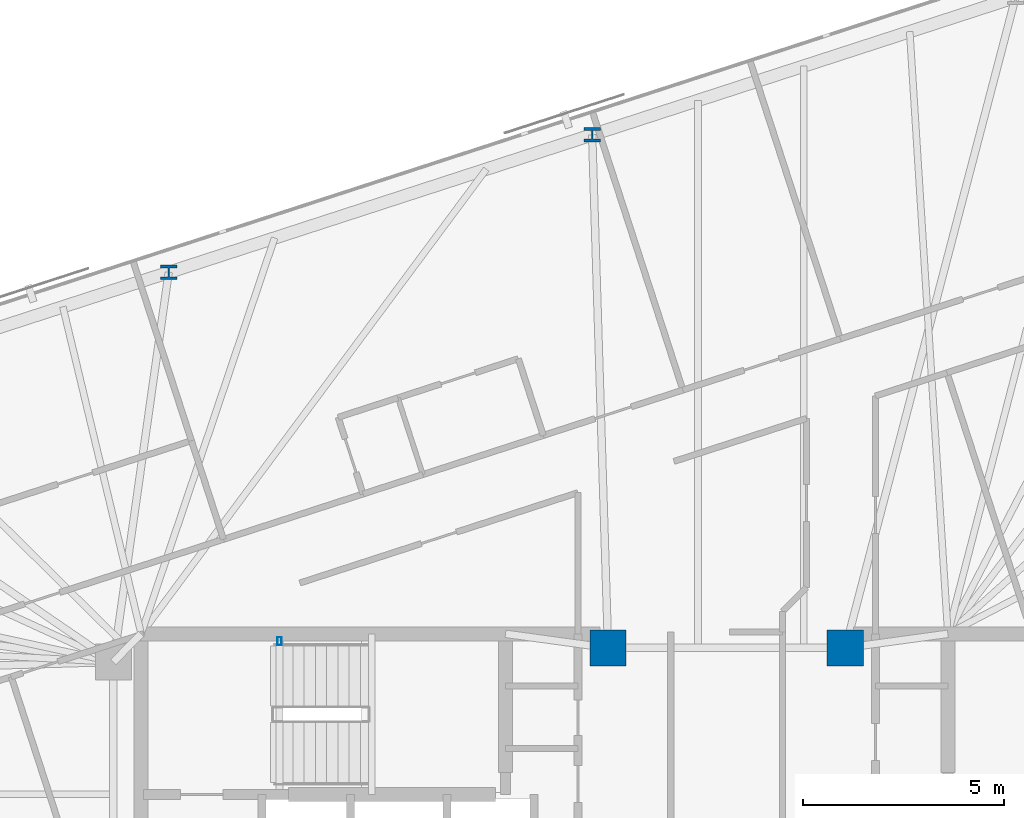
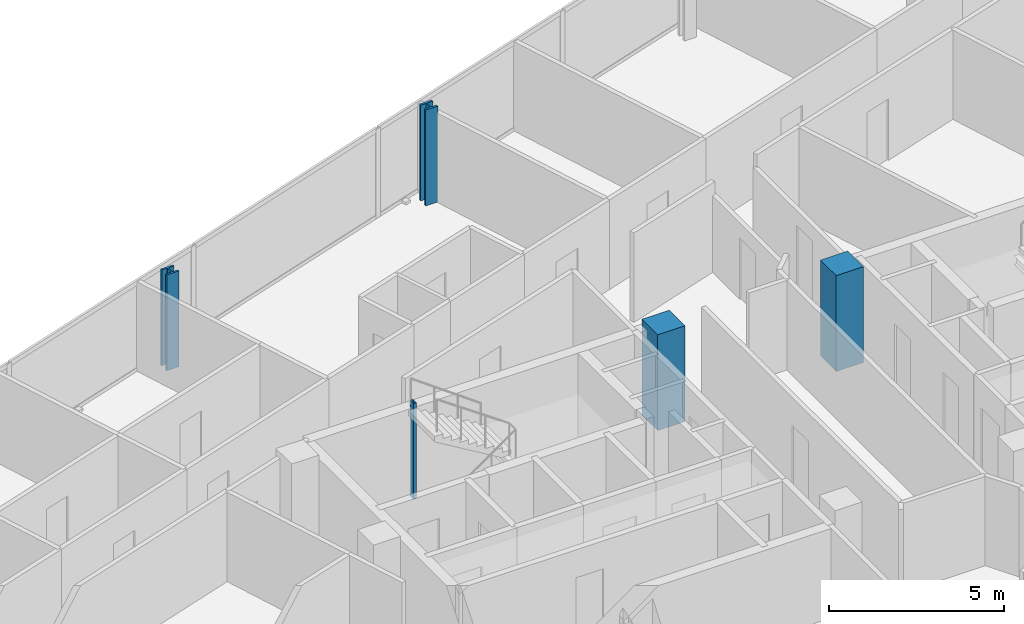
# One storey, part 2 of 19: 5 columns.
"""IFC4 building model written with IfcOpenShell, lengths in metres."""

from ifc_helpers import new_model, si_unit, direction, frame, origin, origin_2d, place, context, subcontext, project, spatial, rectangle, hollow_rectangle, i_section, extrude, material, material_profile, profile_set, type_object, element, save


model = new_model("IFC4")

# Units and contexts
model_context = context("Model", 3, precision=1e-05, world=origin(), true_north=direction((0.0, 1.0)))
body_context = subcontext(model_context, "Body", "Model", "MODEL_VIEW")
ifc_project = project(units=[si_unit("LENGTHUNIT", "METRE"), si_unit("AREAUNIT", "SQUARE_METRE"), si_unit("VOLUMEUNIT", "CUBIC_METRE"), si_unit("PLANEANGLEUNIT", "RADIAN"), si_unit("MASSUNIT", "GRAM", prefix="KILO")], contexts=[model_context])

# Site, building, storey
site_placement = place(None, origin())
site = spatial("IfcSite", under=ifc_project, at=site_placement, CompositionType="ELEMENT")
building_placement = place(site_placement, origin())
building = spatial("IfcBuilding", under=site, at=building_placement, Name="Menara Jurai Vektor", CompositionType="ELEMENT")
storey_placement = place(building_placement, frame((0.0, 0.0, 210.89990234375)))
storey = spatial("IfcBuildingStorey", under=building, at=storey_placement, Name="L55", CompositionType="ELEMENT", Elevation=210.89990234375)

# Columns
ifc_material_1 = material(Name="Concrete C50/60", Category="concrete")
ifc_material_profile_1 = material_profile(ifc_material_1, rectangle(XDim=0.89990234375, YDim=0.89990234375, at=origin_2d()), Name="RC 900x900")
ifc_profile_set_1 = profile_set([ifc_material_profile_1], Name="Concrete C50/60")
column_type_1 = type_object("IfcColumnType", Name="STR-COL-RC900", PredefinedType="COLUMN", material=ifc_profile_set_1)
for number, where, z_axis, x_axis, name in (
    (1, (-2.949951171875, 5.25, 0.0), (0.0, 0.0, 1.0), (1.0, 0.0, 0.0), "Core Spine Column CW-NE L55"),
    (2, (2.949951171875, 5.25, 0.0), (0.0, 0.0, 1.0), (1.0, 0.0, 0.0), "Core Spine Column CE-NW L55"),
):
    element("IfcColumn", number, at=place(storey_placement, frame(where, z_axis=z_axis, x_axis=x_axis)), inside=storey, type_object=column_type_1, Name=name, PredefinedType="COLUMN", context=body_context, shape_type="SweptSolid", body=[
        extrude(rectangle(XDim=0.89990234375, YDim=0.89990234375, at=origin_2d()), origin(), (0.0, 0.0, 1.0), 3.35009765625),
    ])
ifc_material_2 = material(Name="Steel S355", Category="steel")
ifc_material_profile_2 = material_profile(ifc_material_2, hollow_rectangle(XDim=0.10009765625, YDim=0.199951171875, WallThickness=0.008056640625, at=origin_2d()), Name="RHS 200x100x8")
ifc_profile_set_2 = profile_set([ifc_material_profile_2], Name="Steel S355")
column_type_2 = type_object("IfcColumnType", Name="STR-COL-STAIR", PredefinedType="COLUMN", material=ifc_profile_set_2)
column_placement = place(storey_placement, frame((-11.1201171875, 5.419921875, 0.0), z_axis=(0.0, 0.0, 1.0), x_axis=(1.0, 0.0, 0.0)))
element("IfcColumn", 3, at=column_placement, inside=storey, type_object=column_type_2, Name="Stair Well Header Column ST1-P2 L55", PredefinedType="COLUMN", context=body_context, shape_type="SweptSolid", body=[
    extrude(hollow_rectangle(XDim=0.10009765625, YDim=0.199951171875, WallThickness=0.008056640625, at=origin_2d()), origin(), (0.0, 0.0, 1.0), 3.35009765625),
])
ifc_material_3 = material(Name="Steel S460", Category="steel")
ifc_material_profile_3 = material_profile(ifc_material_3, i_section(OverallWidth=0.405029296875, OverallDepth=0.35498046875, WebThickness=0.0419921875, FlangeThickness=0.068115234375, FilletRadius=0.014892578125, at=origin_2d()), Name="HD 400x551")
ifc_profile_set_3 = profile_set([ifc_material_profile_3], Name="Steel S460")
column_type_3 = type_object("IfcColumnType", Name="STR-EXO-BLK4", PredefinedType="COLUMN", material=ifc_profile_set_3)
for number, where, z_axis, x_axis, name in (
    (4, (-3.345703125, 18.008544921875, 0.0), (0.0, 0.0, 1.0), (1.0, 0.0, 0.0), "Exoskeleton Column BLK4-N3 L55"),
    (5, (-13.875, 14.58740234375, 0.0), (0.0, 0.0, 1.0), (1.0, 0.0, 0.0), "Exoskeleton Column BLK4-N4 L55"),
):
    element("IfcColumn", number, at=place(storey_placement, frame(where, z_axis=z_axis, x_axis=x_axis)), inside=storey, type_object=column_type_3, Name=name, PredefinedType="COLUMN", context=body_context, shape_type="SweptSolid", body=[
        extrude(i_section(OverallWidth=0.405029296875, OverallDepth=0.35498046875, WebThickness=0.0419921875, FlangeThickness=0.068115234375, FilletRadius=0.014892578125, at=origin_2d()), origin(), (0.0, 0.0, 1.0), 3.35009765625),
    ])

save(model, "model.ifc")
